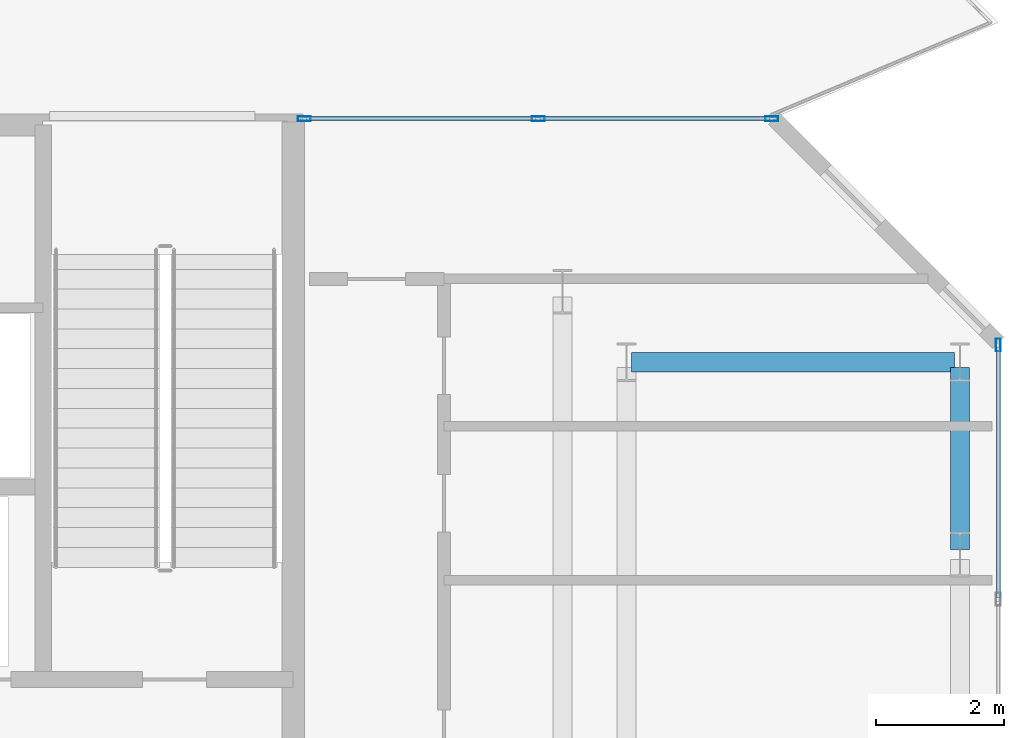
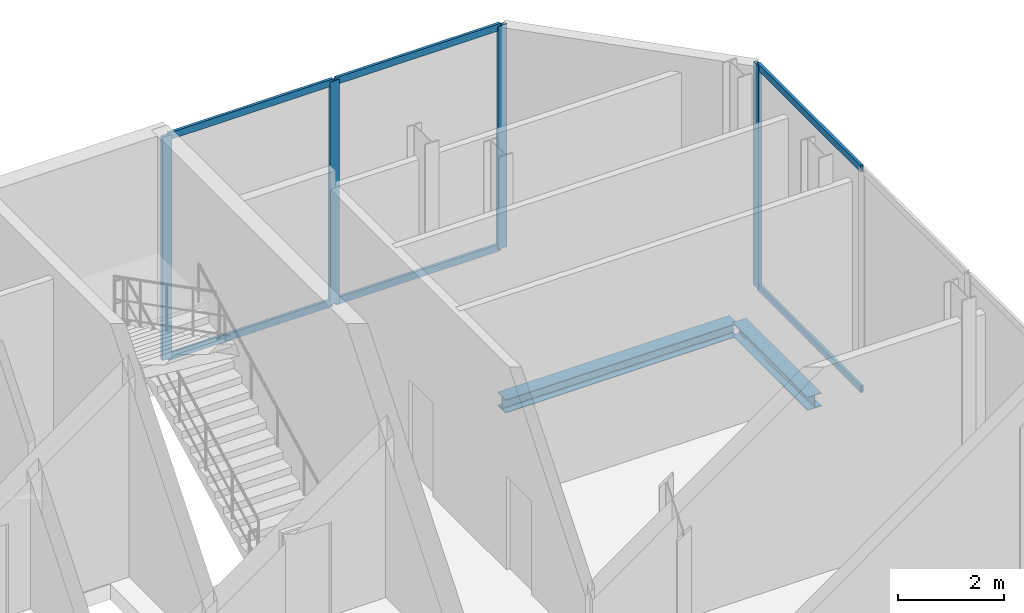
# One storey, part 13 of 18: 10 members, 2 beams, 2 elements without a shape of their own.
"""IFC4 building model written with IfcOpenShell, lengths in metres."""

from ifc_helpers import new_model, si_unit, direction, frame, origin, origin_2d, place, context, subcontext, project, spatial, hollow_rectangle, i_section, extrude, material, layer, layer_set, material_profile, profile_set, type_object, element, aggregate, save


model = new_model("IFC4")

# Units and contexts
model_context = context("Model", 3, precision=1e-05, world=origin(), true_north=direction((0.0, 1.0)))
body_context = subcontext(model_context, "Body", "Model", "MODEL_VIEW")
ifc_project = project(units=[si_unit("LENGTHUNIT", "METRE"), si_unit("AREAUNIT", "SQUARE_METRE"), si_unit("VOLUMEUNIT", "CUBIC_METRE"), si_unit("PLANEANGLEUNIT", "RADIAN"), si_unit("MASSUNIT", "GRAM", prefix="KILO")], contexts=[model_context])

# Site, building, storey
site_placement = place(None, origin())
site = spatial("IfcSite", under=ifc_project, at=site_placement, CompositionType="ELEMENT")
building_placement = place(site_placement, origin())
building = spatial("IfcBuilding", under=site, at=building_placement, Name="Catumbela Crestline Tower", CompositionType="ELEMENT")
storey_placement = place(building_placement, frame((0.0, 0.0, 148.8)))
storey = spatial("IfcBuildingStorey", under=building, at=storey_placement, Name="L38", CompositionType="ELEMENT", Elevation=148.8)

# Curtain wall, member
ifc_material_1 = material(Name="Aluminium alloy AW-6060-T66", Category="aluminium")
ifc_layer = layer(ifc_material_1, 0.18, Name="Aluminium alloy AW-6060-T66")
ifc_layer_set = layer_set([ifc_layer], Name="Aluminium alloy AW-6060-T66")
curtain_wall_type = type_object("IfcCurtainWallType", Name="CWU-SKY", PredefinedType="USERDEFINED", material=ifc_layer_set)
curtain_wall_1_placement = place(storey_placement, origin())
curtain_wall_1 = element("IfcCurtainWall", 1, at=curtain_wall_1_placement, inside=storey, type_object=curtain_wall_type, Name="L38 Unitised Curtain Wall CW-L38-E5S1", ObjectType="UNITISED", PredefinedType="USERDEFINED")
ifc_material_profile_1 = material_profile(ifc_material_1, hollow_rectangle(XDim=0.075, YDim=0.2, WallThickness=0.005, at=origin_2d()), Name="ALU 200x75x5")
ifc_profile_set_1 = profile_set([ifc_material_profile_1], Name="Aluminium alloy AW-6060-T66")
member_type_1 = type_object("IfcMemberType", Name="MUL-200X75", PredefinedType="MULLION", material=ifc_profile_set_1)
member_1_placement = place(storey_placement, frame((51.0, 39.4675, 0.0), z_axis=(0.0, 0.0, 1.0), x_axis=(-1.0, 0.0, 0.0)))
member_1 = element("IfcMember", 2, at=member_1_placement, type_object=member_type_1, Name="CWU-SKY mullion 4", PredefinedType="MULLION", context=body_context, shape_type="SweptSolid", body=[
    extrude(hollow_rectangle(XDim=0.075, YDim=0.2, WallThickness=0.005, at=origin_2d()), origin(), (0.0, 0.0, 1.0), 5.13),
])

# Curtain wall, members
curtain_wall_2_placement = place(storey_placement, origin())
curtain_wall_2 = element("IfcCurtainWall", 3, at=curtain_wall_2_placement, inside=storey, type_object=curtain_wall_type, Name="L38 Unitised Curtain Wall CW-L38-E7S1", ObjectType="UNITISED", PredefinedType="USERDEFINED")
member_2_placement = place(storey_placement, frame((47.4675, 43.0, 0.0), z_axis=(0.0, 0.0, 1.0), x_axis=(0.0, -1.0, 0.0)))
member_2 = element("IfcMember", 4, at=member_2_placement, type_object=member_type_1, Name="CWU-SKY mullion 1", PredefinedType="MULLION", context=body_context, shape_type="SweptSolid", body=[
    extrude(hollow_rectangle(XDim=0.075, YDim=0.2, WallThickness=0.005, at=origin_2d()), origin(), (0.0, 0.0, 1.0), 5.13),
])
member_3_placement = place(storey_placement, frame((43.82, 43.0, 0.0), z_axis=(0.0, 0.0, 1.0), x_axis=(0.0, -1.0, 0.0)))
member_3 = element("IfcMember", 5, at=member_3_placement, type_object=member_type_1, Name="CWU-SKY mullion 2", PredefinedType="MULLION", context=body_context, shape_type="SweptSolid", body=[
    extrude(hollow_rectangle(XDim=0.075, YDim=0.2, WallThickness=0.005, at=origin_2d()), origin(), (0.0, 0.0, 1.0), 5.13),
])
member_4_placement = place(storey_placement, frame((40.1725, 43.0, 0.0), z_axis=(0.0, 0.0, 1.0), x_axis=(0.0, -1.0, 0.0)))
member_4 = element("IfcMember", 6, at=member_4_placement, type_object=member_type_1, Name="CWU-SKY mullion 3", PredefinedType="MULLION", context=body_context, shape_type="SweptSolid", body=[
    extrude(hollow_rectangle(XDim=0.075, YDim=0.2, WallThickness=0.005, at=origin_2d()), origin(), (0.0, 0.0, 1.0), 5.13),
])

# Beams
ifc_material_2 = material(Name="Structural steel S355J2", Category="steel")
ifc_material_profile_2 = material_profile(ifc_material_2, i_section(OverallWidth=0.3, OverallDepth=0.31, WebThickness=0.009, FlangeThickness=0.0155, FilletRadius=0.027, at=origin_2d()), Name="HEA 320")
ifc_profile_set_2 = profile_set([ifc_material_profile_2], Name="Structural steel S355J2")
beam_type = type_object("IfcBeamType", Name="BS-HEA320", PredefinedType="SPANDREL", material=ifc_profile_set_2)
beam_1_placement = place(storey_placement, frame((45.28, 39.2, -0.505), z_axis=(1.0, 0.0, 0.0), x_axis=(0.0, 1.0, 0.0)))
element("IfcBeam", 7, at=beam_1_placement, inside=storey, type_object=beam_type, Name="L38 Spandrel SP-L38-N13", PredefinedType="SPANDREL", context=body_context, shape_type="SweptSolid", body=[
    extrude(i_section(OverallWidth=0.3, OverallDepth=0.31, WebThickness=0.009, FlangeThickness=0.0155, FilletRadius=0.027, at=origin_2d()), origin(), (0.0, 0.0, 1.0), 5.04),
])
beam_2_placement = place(storey_placement, frame((50.4, 36.28, -0.505), z_axis=(0.0, 1.0, 0.0), x_axis=(-1.0, 0.0, 0.0)))
element("IfcBeam", 8, at=beam_2_placement, inside=storey, type_object=beam_type, Name="L38 Spandrel SP-L38-SN25", PredefinedType="SPANDREL", context=body_context, shape_type="SweptSolid", body=[
    extrude(i_section(OverallWidth=0.3, OverallDepth=0.31, WebThickness=0.009, FlangeThickness=0.0155, FilletRadius=0.027, at=origin_2d()), origin(), (0.0, 0.0, 1.0), 2.84),
])

# Member
ifc_material_profile_3 = material_profile(ifc_material_1, hollow_rectangle(XDim=0.06, YDim=0.16, WallThickness=0.004, at=origin_2d()), Name="ALU 160x60x4")
ifc_profile_set_3 = profile_set([ifc_material_profile_3], Name="Aluminium alloy AW-6060-T66")
member_type_2 = type_object("IfcMemberType", Name="TRN-160X60", PredefinedType="USERDEFINED", material=ifc_profile_set_3)
member_5_placement = place(storey_placement, frame((51.0, 35.5325, 0.03), z_axis=(0.0, 1.0, 0.0), x_axis=(-1.0, 0.0, 0.0)))
member_5 = element("IfcMember", 9, at=member_5_placement, type_object=member_type_2, Name="CWU-SKY transom 3.1", ObjectType="TRANSOM", PredefinedType="USERDEFINED", context=body_context, shape_type="SweptSolid", body=[
    extrude(hollow_rectangle(XDim=0.06, YDim=0.16, WallThickness=0.004, at=origin_2d()), origin(), (0.0, 0.0, 1.0), 3.9025),
])

member_6_placement = place(storey_placement, frame((51.0, 35.5325, 5.1), z_axis=(0.0, 1.0, 0.0), x_axis=(-1.0, 0.0, 0.0)))
member_6 = element("IfcMember", 10, at=member_6_placement, type_object=member_type_2, Name="CWU-SKY transom 3.2", ObjectType="TRANSOM", PredefinedType="USERDEFINED", context=body_context, shape_type="SweptSolid", body=[
    extrude(hollow_rectangle(XDim=0.06, YDim=0.16, WallThickness=0.004, at=origin_2d()), origin(), (0.0, 0.0, 1.0), 3.9025),
])

aggregate(curtain_wall_1, [member_1, member_5, member_6])

member_7_placement = place(storey_placement, frame((47.435, 43.0, 0.03), z_axis=(-1.0, 0.0, 0.0), x_axis=(0.0, -1.0, 0.0)))
member_7 = element("IfcMember", 11, at=member_7_placement, type_object=member_type_2, Name="CWU-SKY transom 1.1", ObjectType="TRANSOM", PredefinedType="USERDEFINED", context=body_context, shape_type="SweptSolid", body=[
    extrude(hollow_rectangle(XDim=0.06, YDim=0.16, WallThickness=0.004, at=origin_2d()), origin(), (0.0, 0.0, 1.0), 3.5825),
])

member_8_placement = place(storey_placement, frame((47.435, 43.0, 5.1), z_axis=(-1.0, 0.0, 0.0), x_axis=(0.0, -1.0, 0.0)))
member_8 = element("IfcMember", 12, at=member_8_placement, type_object=member_type_2, Name="CWU-SKY transom 1.2", ObjectType="TRANSOM", PredefinedType="USERDEFINED", context=body_context, shape_type="SweptSolid", body=[
    extrude(hollow_rectangle(XDim=0.06, YDim=0.16, WallThickness=0.004, at=origin_2d()), origin(), (0.0, 0.0, 1.0), 3.5825),
])

member_9_placement = place(storey_placement, frame((43.7875, 43.0, 0.03), z_axis=(-1.0, 0.0, 0.0), x_axis=(0.0, -1.0, 0.0)))
member_9 = element("IfcMember", 13, at=member_9_placement, type_object=member_type_2, Name="CWU-SKY transom 2.1", ObjectType="TRANSOM", PredefinedType="USERDEFINED", context=body_context, shape_type="SweptSolid", body=[
    extrude(hollow_rectangle(XDim=0.06, YDim=0.16, WallThickness=0.004, at=origin_2d()), origin(), (0.0, 0.0, 1.0), 3.5825),
])

member_10_placement = place(storey_placement, frame((43.7875, 43.0, 5.1), z_axis=(-1.0, 0.0, 0.0), x_axis=(0.0, -1.0, 0.0)))
member_10 = element("IfcMember", 14, at=member_10_placement, type_object=member_type_2, Name="CWU-SKY transom 2.2", ObjectType="TRANSOM", PredefinedType="USERDEFINED", context=body_context, shape_type="SweptSolid", body=[
    extrude(hollow_rectangle(XDim=0.06, YDim=0.16, WallThickness=0.004, at=origin_2d()), origin(), (0.0, 0.0, 1.0), 3.5825),
])

aggregate(curtain_wall_2, [member_2, member_3, member_4, member_7, member_8, member_9, member_10])

save(model, "model.ifc")
